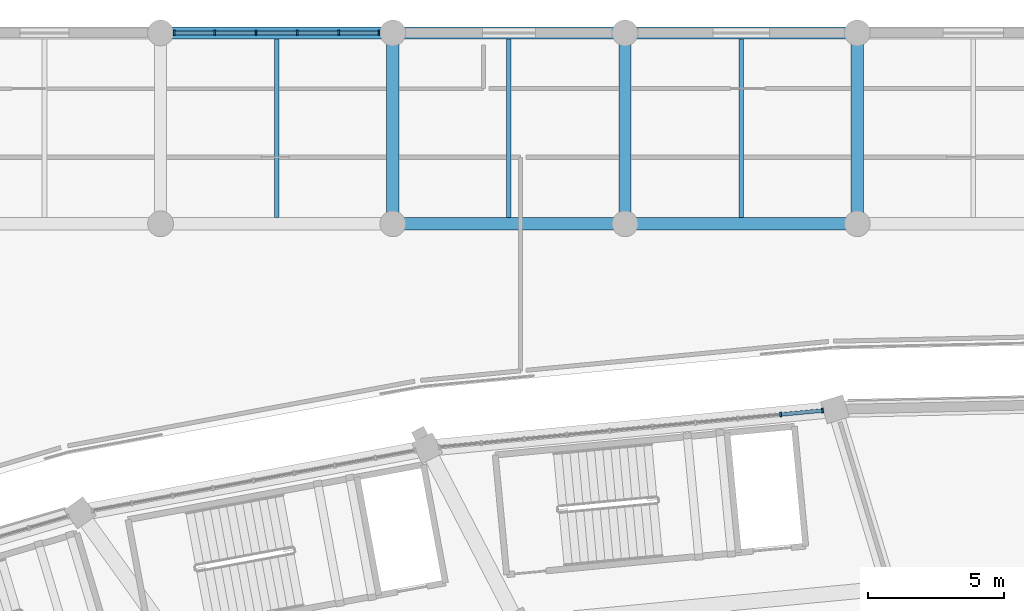
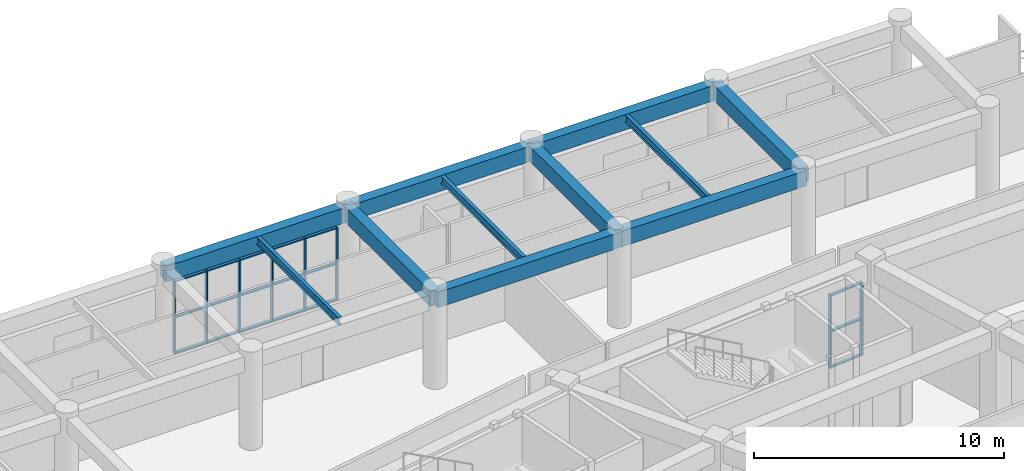
# One storey, part 66 of 152: 26 members, 11 beams, 2 elements without a shape of their own.
"""IFC4 building model written with IfcOpenShell, lengths in metres."""

import ifcopenshell
import ifcopenshell.guid

model = None  # the IFC model being written
_history = None  # IfcOwnerHistory: only IFC2X3 demands one
_inside = {}  # id of a spatial element -> (the spatial element, [elements in it])
_under = {}  # id of a project, library or spatial element -> (it, [spatial elements below it])
_declared = {}  # id of a project -> (the project, [libraries it declares])
_typed = {}  # id of a type object -> (the type object, [elements of that type])
_made_of = {}  # id of a material, layer set ... -> (it, [elements and type objects made of it])


def new_model(schema):
    """Start an empty IFC model of exactly this schema.

    Asked for "IFC4X3", IfcOpenShell would pick the latest addendum, in which some entities
    have other attributes; the version numbers below select the first issue.
    IFC2X3 requires an IfcOwnerHistory on every rooted entity: one is made here for all.
    """
    global model, _history
    if schema == "IFC4X3":
        model = ifcopenshell.file(schema_version=(4, 3, 0, 0))
    else:
        model = ifcopenshell.file(schema=schema)
    _inside.clear()
    _under.clear()
    _declared.clear()
    _typed.clear()
    _made_of.clear()
    _history = None
    if model.schema == "IFC2X3":
        org = make("IfcOrganization", Name="unknown")
        user = make(
            "IfcPersonAndOrganization",
            ThePerson=make("IfcPerson", FamilyName="unknown"),
            TheOrganization=org,
        )
        app = make(
            "IfcApplication",
            ApplicationDeveloper=org,
            Version="unknown",
            ApplicationFullName="unknown",
            ApplicationIdentifier="unknown",
        )
        _history = make(
            "IfcOwnerHistory",
            OwningUser=user,
            OwningApplication=app,
            ChangeAction="ADDED",
            CreationDate=0,
        )
    return model


def make(cls, **values):
    """One entity of the class cls with the attributes given. An attribute that is None is left unset."""
    return model.create_entity(
        cls, **{name: value for name, value in values.items() if value is not None}
    )


def rooted(cls, **values):
    """An entity with a GlobalId (a new one), such as an element, a storey or a relation."""
    return make(cls, GlobalId=ifcopenshell.guid.new(), OwnerHistory=_history, **values)


def si_unit(unit_type, name, prefix=None):
    """IfcSIUnit, for example si_unit("LENGTHUNIT", "METRE", prefix="MILLI")."""
    return make("IfcSIUnit", UnitType=unit_type, Prefix=prefix, Name=name)


def assignment(units):
    """IfcUnitAssignment: the units of a project."""
    return None if units is None else make("IfcUnitAssignment", Units=units)


def point(xyz):
    """IfcCartesianPoint."""
    return None if xyz is None else make("IfcCartesianPoint", Coordinates=xyz)


def direction(xyz):
    """IfcDirection."""
    return None if xyz is None else make("IfcDirection", DirectionRatios=xyz)


def frame(location, z_axis=None, x_axis=None):
    """IfcAxis2Placement3D, a coordinate frame: its origin and axes. An axis left out is left unset."""
    return make(
        "IfcAxis2Placement3D",
        Location=point(location),
        Axis=direction(z_axis),
        RefDirection=direction(x_axis),
    )


def frame_2d(location, x_axis=None):
    """IfcAxis2Placement2D, a coordinate frame in the plane: its origin and x axis."""
    return make(
        "IfcAxis2Placement2D", Location=point(location), RefDirection=direction(x_axis)
    )


def origin():
    """The frame at (0, 0, 0) with its axes left unset."""
    return frame((0.0, 0.0, 0.0))


def origin_2d():
    """The frame at (0, 0) in the plane with its x axis left unset."""
    return frame_2d((0.0, 0.0))


def place(relative_to, where):
    """IfcLocalPlacement: puts the frame where relative to a parent placement (None: the world)."""
    return make(
        "IfcLocalPlacement", PlacementRelTo=relative_to, RelativePlacement=where
    )


def context(
    kind, dimensions, precision=None, world=None, true_north=None, identifier=None
):
    """IfcGeometricRepresentationContext, for example the 3D "Model" context."""
    return make(
        "IfcGeometricRepresentationContext",
        ContextIdentifier=identifier,
        ContextType=kind,
        CoordinateSpaceDimension=dimensions,
        Precision=precision,
        WorldCoordinateSystem=world,
        TrueNorth=true_north,
    )


def subcontext(parent, identifier, kind, view, scale=None):
    """IfcGeometricRepresentationSubContext, for example "Body" below "Model"."""
    return make(
        "IfcGeometricRepresentationSubContext",
        ContextIdentifier=identifier,
        ContextType=kind,
        ParentContext=parent,
        TargetScale=scale,
        TargetView=view,
    )


def project(units=None, contexts=None):
    """IfcProject with its units and contexts."""
    return rooted(
        "IfcProject",
        Name="project",
        RepresentationContexts=contexts,
        UnitsInContext=assignment(units),
    )


def spatial(cls, under=None, at=None, **own):
    """A site, building, storey or space (cls), placed at a placement, below another one or the project."""
    s = rooted(cls, ObjectPlacement=at, **own)
    if under is not None:
        _under.setdefault(under.id(), (under, []))[1].append(s)
    return s


def profile(cls, at=None, kind="AREA", **sizes):
    """A parametric profile (cls). Its sizes go by their IFC names, for example OverallWidth=200.0."""
    return make(cls, ProfileType=kind, Position=at, **sizes)


def rectangle(**sizes):
    """IfcRectangleProfileDef."""
    return profile("IfcRectangleProfileDef", **sizes)


def i_section(**sizes):
    """IfcIShapeProfileDef."""
    return profile("IfcIShapeProfileDef", **sizes)


def extrude(swept, where, along, depth):
    """IfcExtrudedAreaSolid: the profile swept, set in the frame where, extruded along a direction by depth."""
    return make(
        "IfcExtrudedAreaSolid",
        SweptArea=swept,
        Position=where,
        ExtrudedDirection=direction(along),
        Depth=depth,
    )


def shape(context_of_items, identifier, shape_type, items):
    """IfcShapeRepresentation: the items that make up one representation, for example the "Body"."""
    return make(
        "IfcShapeRepresentation",
        ContextOfItems=context_of_items,
        RepresentationIdentifier=identifier,
        RepresentationType=shape_type,
        Items=items,
    )


def material(Name=None, Category=None):
    """IfcMaterial."""
    return make("IfcMaterial", Name=Name, Category=Category)


def layer(
    of_material, thickness, ventilated=None, Name=None, Category=None, Priority=None
):
    """IfcMaterialLayer: one layer of a wall or slab, of a material (None: an air gap)."""
    return make(
        "IfcMaterialLayer",
        Material=of_material,
        LayerThickness=thickness,
        IsVentilated=ventilated,
        Name=Name,
        Category=Category,
        Priority=Priority,
    )


def layer_set(layers, Name=None):
    """IfcMaterialLayerSet."""
    return make("IfcMaterialLayerSet", MaterialLayers=layers, LayerSetName=Name)


def material_profile(
    of_material, cross_section, Name=None, Category=None, Priority=None
):
    """IfcMaterialProfile: a cross section and its material."""
    return make(
        "IfcMaterialProfile",
        Name=Name,
        Material=of_material,
        Profile=cross_section,
        Priority=Priority,
        Category=Category,
    )


def profile_set(profiles, Name=None, composite=None):
    """IfcMaterialProfileSet."""
    return make(
        "IfcMaterialProfileSet",
        Name=Name,
        MaterialProfiles=profiles,
        CompositeProfile=composite,
    )


def made_of(thing, what):
    """Note that an element or type object is made of a material, layer set ...; save() writes the relation."""
    if what is not None:
        _made_of.setdefault(what.id(), (what, []))[1].append(thing)
    return thing


def type_object(cls, material=None, **own):
    """A type object (cls), such as IfcWallType, which elements share."""
    return made_of(rooted(cls, **own), material)


def element(
    cls,
    number,
    at=None,
    inside=None,
    cuts=None,
    type_object=None,
    material=None,
    context=None,
    identifier="Body",
    shape_type=None,
    held_by="IfcProductDefinitionShape",
    body=None,
    shapes=None,
    **own,
):
    """One element of the class cls, such as IfcWall. Its Tag is "e" and its number.

    at: its placement. inside: the storey or other place that contains it. cuts: it is an
    opening in that element (IfcRelVoidsElement). A single representation is given by context,
    identifier, shape_type and body (its items); several are given by shapes. held_by: the class
    of the entity that holds the representations. save() writes the other relations.
    """
    e = rooted(cls, Tag="e%d" % number, ObjectPlacement=at, **own)
    if body is not None:
        shapes = [shape(context, identifier, shape_type, body)]
    if shapes is not None:
        e.Representation = make(held_by, Representations=shapes)
    if inside is not None:
        _inside.setdefault(inside.id(), (inside, []))[1].append(e)
    if cuts is not None:
        rooted(
            "IfcRelVoidsElement", RelatingBuildingElement=cuts, RelatedOpeningElement=e
        )
    if type_object is not None:
        _typed.setdefault(type_object.id(), (type_object, []))[1].append(e)
    return made_of(e, material)


def aggregate(whole, parts):
    """IfcRelAggregates: a whole, such as a stair, and the parts it consists of."""
    return rooted("IfcRelAggregates", RelatingObject=whole, RelatedObjects=parts)


def save(model, path):
    """Write the relations noted so far, then the file.

    IfcRelAggregates (storeys below a building ...), IfcRelContainedInSpatialStructure (elements
    in a storey), IfcRelDefinesByType, IfcRelAssociatesMaterial and IfcRelDeclares: one each for
    every whole, place, type object, material and project.
    """
    for whole, parts in _under.values():
        aggregate(whole, parts)
    for where, things in _inside.values():
        rooted(
            "IfcRelContainedInSpatialStructure",
            RelatedElements=things,
            RelatingStructure=where,
        )
    for kind, things in _typed.values():
        rooted("IfcRelDefinesByType", RelatedObjects=things, RelatingType=kind)
    for what, things in _made_of.values():
        rooted("IfcRelAssociatesMaterial", RelatedObjects=things, RelatingMaterial=what)
    for by, libraries in _declared.values():
        rooted("IfcRelDeclares", RelatingContext=by, RelatedDefinitions=libraries)
    model.write(path)


model = new_model("IFC4")

# Units and contexts
model_context = context("Model", 3, precision=1e-05, world=origin(), true_north=direction((0.0, 1.0)))
body_context = subcontext(model_context, "Body", "Model", "MODEL_VIEW")
ifc_project = project(units=[si_unit("LENGTHUNIT", "METRE"), si_unit("AREAUNIT", "SQUARE_METRE"), si_unit("VOLUMEUNIT", "CUBIC_METRE"), si_unit("PLANEANGLEUNIT", "RADIAN"), si_unit("MASSUNIT", "GRAM", prefix="KILO")], contexts=[model_context])

# Site, building, storey
site_placement = place(None, origin())
site = spatial("IfcSite", under=ifc_project, at=site_placement, CompositionType="ELEMENT")
building_placement = place(site_placement, origin())
building = spatial("IfcBuilding", under=site, at=building_placement, Name="Mphavela Belvedere Stadium", CompositionType="ELEMENT")
storey_placement = place(building_placement, frame((0.0, 0.0, 5.39990234375)))
storey = spatial("IfcBuildingStorey", under=building, at=storey_placement, Name="L01", CompositionType="ELEMENT", Elevation=5.39990234375)

# Beams
ifc_material_1 = material(Name="Steel S355", Category="steel")
ifc_material_profile_1 = material_profile(ifc_material_1, i_section(OverallWidth=0.169921875, OverallDepth=0.360107421875, WebThickness=0.008056640625, FlangeThickness=0.0126953125, at=origin_2d()), Name="IPE 360")
ifc_profile_set_1 = profile_set([ifc_material_profile_1], Name="Steel S355")
beam_type_1 = type_object("IfcBeamType", Name="BM-JOIST-IPE360", PredefinedType="JOIST", material=ifc_profile_set_1)
for number, where, z_axis, x_axis, name in (
    (1, (72.407470703125, 167.22509765625, 4.360107421875), (0.0, 1.0, 0.0), (-1.0, 0.0, 0.0), "North Mast and Ceremonial End Forecourt secondary joist L01 9-7"),
    (2, (80.926025390625, 167.22509765625, 4.360107421875), (0.0, 1.0, 0.0), (-1.0, 0.0, 0.0), "North Mast and Ceremonial End Forecourt secondary joist L01 10-7"),
    (3, (89.444580078125, 167.22509765625, 4.360107421875), (0.0, 1.0, 0.0), (-1.0, 0.0, 0.0), "North Mast and Ceremonial End Forecourt secondary joist L01 11-7"),
):
    element("IfcBeam", number, at=place(storey_placement, frame(where, z_axis=z_axis, x_axis=x_axis)), inside=storey, type_object=beam_type_1, Name=name, PredefinedType="JOIST", context=body_context, shape_type="SweptSolid", body=[
        extrude(i_section(OverallWidth=0.169921875, OverallDepth=0.360107421875, WebThickness=0.008056640625, FlangeThickness=0.0126953125, at=origin_2d()), origin(), (0.0, 0.0, 1.0), 6.5498046875),
    ])
ifc_material_2 = material(Name="Concrete C40/50", Category="concrete")
ifc_material_profile_2 = material_profile(ifc_material_2, rectangle(XDim=0.449951171875, YDim=0.75, at=origin_2d()), Name="RC 450x750")
ifc_profile_set_2 = profile_set([ifc_material_profile_2], Name="Concrete C40/50")
beam_type_2 = type_object("IfcBeamType", Name="BM-RC450x750", PredefinedType="BEAM", material=ifc_profile_set_2)
beam_1_placement = place(storey_placement, frame((68.14794921875, 174.0, 4.1650390625), z_axis=(1.0, 0.0, 0.0), x_axis=(0.0, 1.0, 0.0)))
element("IfcBeam", 4, at=beam_1_placement, inside=storey, type_object=beam_type_2, Name="North Mast and Ceremonial End Forecourt entablature beam X L01 9-8", PredefinedType="BEAM", context=body_context, shape_type="SweptSolid", body=[
    extrude(rectangle(XDim=0.449951171875, YDim=0.75, at=origin_2d()), origin(), (0.0, 0.0, 1.0), 8.51904296875),
])
beam_2_placement = place(storey_placement, frame((76.6669921875, 167.0, 4.1650390625), z_axis=(1.0, 0.0, 0.0), x_axis=(0.0, 1.0, 0.0)))
element("IfcBeam", 5, at=beam_2_placement, inside=storey, type_object=beam_type_2, Name="North Mast and Ceremonial End Forecourt entablature beam X L01 10-7", PredefinedType="BEAM", context=body_context, shape_type="SweptSolid", body=[
    extrude(rectangle(XDim=0.449951171875, YDim=0.75, at=origin_2d()), origin(), (0.0, 0.0, 1.0), 8.51806640625),
])
beam_3_placement = place(storey_placement, frame((76.6669921875, 167.0, 4.1650390625), z_axis=(0.0, 1.0, 0.0), x_axis=(-1.0, 0.0, 0.0)))
element("IfcBeam", 6, at=beam_3_placement, inside=storey, type_object=beam_type_2, Name="North Mast and Ceremonial End Forecourt entablature beam Y L01 10-7", PredefinedType="BEAM", context=body_context, shape_type="SweptSolid", body=[
    extrude(rectangle(XDim=0.449951171875, YDim=0.75, at=origin_2d()), origin(), (0.0, 0.0, 1.0), 7.0),
])
beam_4_placement = place(storey_placement, frame((76.6669921875, 174.0, 4.1650390625), z_axis=(1.0, 0.0, 0.0), x_axis=(0.0, 1.0, 0.0)))
element("IfcBeam", 7, at=beam_4_placement, inside=storey, type_object=beam_type_2, Name="North Mast and Ceremonial End Forecourt entablature beam X L01 10-8", PredefinedType="BEAM", context=body_context, shape_type="SweptSolid", body=[
    extrude(rectangle(XDim=0.449951171875, YDim=0.75, at=origin_2d()), origin(), (0.0, 0.0, 1.0), 8.51806640625),
])
beam_5_placement = place(storey_placement, frame((85.18505859375, 167.0, 4.1650390625), z_axis=(1.0, 0.0, 0.0), x_axis=(0.0, 1.0, 0.0)))
element("IfcBeam", 8, at=beam_5_placement, inside=storey, type_object=beam_type_2, Name="North Mast and Ceremonial End Forecourt entablature beam X L01 11-7", PredefinedType="BEAM", context=body_context, shape_type="SweptSolid", body=[
    extrude(rectangle(XDim=0.449951171875, YDim=0.75, at=origin_2d()), origin(), (0.0, 0.0, 1.0), 8.51904296875),
])
beam_6_placement = place(storey_placement, frame((85.18505859375, 167.0, 4.1650390625), z_axis=(0.0, 1.0, 0.0), x_axis=(-1.0, 0.0, 0.0)))
element("IfcBeam", 9, at=beam_6_placement, inside=storey, type_object=beam_type_2, Name="North Mast and Ceremonial End Forecourt entablature beam Y L01 11-7", PredefinedType="BEAM", context=body_context, shape_type="SweptSolid", body=[
    extrude(rectangle(XDim=0.449951171875, YDim=0.75, at=origin_2d()), origin(), (0.0, 0.0, 1.0), 7.0),
])
beam_7_placement = place(storey_placement, frame((85.18505859375, 174.0, 4.1650390625), z_axis=(1.0, 0.0, 0.0), x_axis=(0.0, 1.0, 0.0)))
element("IfcBeam", 10, at=beam_7_placement, inside=storey, type_object=beam_type_2, Name="North Mast and Ceremonial End Forecourt entablature beam X L01 11-8", PredefinedType="BEAM", context=body_context, shape_type="SweptSolid", body=[
    extrude(rectangle(XDim=0.449951171875, YDim=0.75, at=origin_2d()), origin(), (0.0, 0.0, 1.0), 8.51904296875),
])
beam_8_placement = place(storey_placement, frame((93.7041015625, 167.0, 4.1650390625), z_axis=(0.0, 1.0, 0.0), x_axis=(-1.0, 0.0, 0.0)))
element("IfcBeam", 11, at=beam_8_placement, inside=storey, type_object=beam_type_2, Name="North Mast and Ceremonial End Forecourt entablature beam Y L01 12-7", PredefinedType="BEAM", context=body_context, shape_type="SweptSolid", body=[
    extrude(rectangle(XDim=0.449951171875, YDim=0.75, at=origin_2d()), origin(), (0.0, 0.0, 1.0), 7.0),
])

# Curtain wall, members
ifc_material_3 = material(Name="Anodised bronze unitised curtain wall framing")
ifc_layer = layer(ifc_material_3, 0.18505859375)
ifc_layer_set = layer_set([ifc_layer], Name="Anodised bronze unitised curtain wall framing")
curtain_wall_type = type_object("IfcCurtainWallType", Name="CW-UNIT-02", PredefinedType="USERDEFINED", material=ifc_layer_set)
curtain_wall_1_placement = place(storey_placement, origin())
curtain_wall_1 = element("IfcCurtainWall", 12, at=curtain_wall_1_placement, inside=storey, type_object=curtain_wall_type, Name="Belvedere colonnade curtain wall L01-14", ObjectType="UNITISED CURTAIN WALL", PredefinedType="USERDEFINED")
ifc_material_4 = material(Name="Anodised bronze extruded aluminium", Category="aluminium")
ifc_material_profile_3 = material_profile(ifc_material_4, rectangle(XDim=0.179931640625, YDim=0.06494140625, at=origin_2d()), Name="CW-MUL 180x65")
ifc_profile_set_3 = profile_set([ifc_material_profile_3], Name="Anodised bronze extruded aluminium")
member_type_1 = type_object("IfcMemberType", Name="CWM-180x65", PredefinedType="MULLION", material=ifc_profile_set_3)
member_1_placement = place(storey_placement, frame((92.431884765625, 160.150634765625, 0.0), z_axis=(0.0, 0.0, 1.0), x_axis=(0.094922243726, -0.99548468981, 0.0)))
member_1 = element("IfcMember", 13, at=member_1_placement, type_object=member_type_1, Name="CW-02 mullion 1", PredefinedType="MULLION", context=body_context, shape_type="SweptSolid", body=[
    extrude(rectangle(XDim=0.179931640625, YDim=0.06494140625, at=origin_2d()), origin(), (0.0, 0.0, 1.0), 3.570068359375),
])
member_2_placement = place(storey_placement, frame((90.895751953125, 160.004150390625, 0.0), z_axis=(0.0, 0.0, 1.0), x_axis=(0.094922243726, -0.99548468981, 0.0)))
member_2 = element("IfcMember", 14, at=member_2_placement, type_object=member_type_1, Name="CW-02 mullion 2", PredefinedType="MULLION", context=body_context, shape_type="SweptSolid", body=[
    extrude(rectangle(XDim=0.179931640625, YDim=0.06494140625, at=origin_2d()), origin(), (0.0, 0.0, 1.0), 3.570068359375),
])

curtain_wall_2_placement = place(storey_placement, origin())
curtain_wall_2 = element("IfcCurtainWall", 15, at=curtain_wall_2_placement, inside=storey, type_object=curtain_wall_type, Name="North Mast and Ceremonial End Forecourt gallery curtain wall L01-09", ObjectType="UNITISED CURTAIN WALL", PredefinedType="USERDEFINED")
member_3_placement = place(storey_placement, frame((68.653564453125, 174.0, 0.0), z_axis=(0.0, 0.0, 1.0), x_axis=(0.0, 1.0, 0.0)))
member_3 = element("IfcMember", 16, at=member_3_placement, type_object=member_type_1, Name="CW-02 mullion 1", PredefinedType="MULLION", context=body_context, shape_type="SweptSolid", body=[
    extrude(rectangle(XDim=0.179931640625, YDim=0.06494140625, at=origin_2d()), origin(), (0.0, 0.0, 1.0), 3.56005859375),
])
member_4_placement = place(storey_placement, frame((70.135498046875, 174.0, 0.0), z_axis=(0.0, 0.0, 1.0), x_axis=(0.0, 1.0, 0.0)))
member_4 = element("IfcMember", 17, at=member_4_placement, type_object=member_type_1, Name="CW-02 mullion 2", PredefinedType="MULLION", context=body_context, shape_type="SweptSolid", body=[
    extrude(rectangle(XDim=0.179931640625, YDim=0.06494140625, at=origin_2d()), origin(), (0.0, 0.0, 1.0), 3.56005859375),
])
member_5_placement = place(storey_placement, frame((71.650146484375, 174.0, 0.0), z_axis=(0.0, 0.0, 1.0), x_axis=(0.0, 1.0, 0.0)))
member_5 = element("IfcMember", 18, at=member_5_placement, type_object=member_type_1, Name="CW-02 mullion 3", PredefinedType="MULLION", context=body_context, shape_type="SweptSolid", body=[
    extrude(rectangle(XDim=0.179931640625, YDim=0.06494140625, at=origin_2d()), origin(), (0.0, 0.0, 1.0), 3.56005859375),
])
member_6_placement = place(storey_placement, frame((73.164794921875, 174.0, 0.0), z_axis=(0.0, 0.0, 1.0), x_axis=(0.0, 1.0, 0.0)))
member_6 = element("IfcMember", 19, at=member_6_placement, type_object=member_type_1, Name="CW-02 mullion 4", PredefinedType="MULLION", context=body_context, shape_type="SweptSolid", body=[
    extrude(rectangle(XDim=0.179931640625, YDim=0.06494140625, at=origin_2d()), origin(), (0.0, 0.0, 1.0), 3.56005859375),
])
member_7_placement = place(storey_placement, frame((74.679443359375, 174.0, 0.0), z_axis=(0.0, 0.0, 1.0), x_axis=(0.0, 1.0, 0.0)))
member_7 = element("IfcMember", 20, at=member_7_placement, type_object=member_type_1, Name="CW-02 mullion 5", PredefinedType="MULLION", context=body_context, shape_type="SweptSolid", body=[
    extrude(rectangle(XDim=0.179931640625, YDim=0.06494140625, at=origin_2d()), origin(), (0.0, 0.0, 1.0), 3.56005859375),
])
member_8_placement = place(storey_placement, frame((76.16162109375, 174.0, 0.0), z_axis=(0.0, 0.0, 1.0), x_axis=(0.0, 1.0, 0.0)))
member_8 = element("IfcMember", 21, at=member_8_placement, type_object=member_type_1, Name="CW-02 mullion 6", PredefinedType="MULLION", context=body_context, shape_type="SweptSolid", body=[
    extrude(rectangle(XDim=0.179931640625, YDim=0.06494140625, at=origin_2d()), origin(), (0.0, 0.0, 1.0), 3.56005859375),
])

# Member
ifc_material_5 = material(Name="Anodised bronze extruded aluminium", Category="aluminium")
ifc_material_profile_4 = material_profile(ifc_material_5, rectangle(XDim=0.139892578125, YDim=0.06005859375, at=origin_2d()), Name="CW-TRN 140x60")
ifc_profile_set_4 = profile_set([ifc_material_profile_4], Name="Anodised bronze extruded aluminium")
member_type_2 = type_object("IfcMemberType", Name="CWT-140x60", PredefinedType="USERDEFINED", material=ifc_profile_set_4)
member_9_placement = place(storey_placement, frame((92.399658203125, 160.1474609375, 0.030029296875), z_axis=(-0.995479870054, -0.094972776718, 0.0), x_axis=(0.094972776718, -0.995479870054, 0.0)))
member_9 = element("IfcMember", 22, at=member_9_placement, type_object=member_type_2, Name="CW-02 transom 1.1", ObjectType="TRANSOM", PredefinedType="USERDEFINED", context=body_context, shape_type="SweptSolid", body=[
    extrude(rectangle(XDim=0.139892578125, YDim=0.06005859375, at=origin_2d()), origin(), (0.0, 0.0, 1.0), 1.47802734375),
])

member_10_placement = place(storey_placement, frame((92.399658203125, 160.1474609375, 1.78515625), z_axis=(-0.995479870054, -0.094972776718, 0.0), x_axis=(0.094972776718, -0.995479870054, 0.0)))
member_10 = element("IfcMember", 23, at=member_10_placement, type_object=member_type_2, Name="CW-02 transom 1.2", ObjectType="TRANSOM", PredefinedType="USERDEFINED", context=body_context, shape_type="SweptSolid", body=[
    extrude(rectangle(XDim=0.139892578125, YDim=0.06005859375, at=origin_2d()), origin(), (0.0, 0.0, 1.0), 1.47802734375),
])

member_11_placement = place(storey_placement, frame((92.399658203125, 160.1474609375, 3.5400390625), z_axis=(-0.995479870054, -0.094972776718, 0.0), x_axis=(0.094972776718, -0.995479870054, 0.0)))
member_11 = element("IfcMember", 24, at=member_11_placement, type_object=member_type_2, Name="CW-02 transom 1.3", ObjectType="TRANSOM", PredefinedType="USERDEFINED", context=body_context, shape_type="SweptSolid", body=[
    extrude(rectangle(XDim=0.139892578125, YDim=0.06005859375, at=origin_2d()), origin(), (0.0, 0.0, 1.0), 1.47802734375),
])

aggregate(curtain_wall_1, [member_1, member_2, member_9, member_10, member_11])

member_12_placement = place(storey_placement, frame((68.68603515625, 174.0, 0.030029296875), z_axis=(1.0, 0.0, 0.0), x_axis=(0.0, 1.0, 0.0)))
member_12 = element("IfcMember", 25, at=member_12_placement, type_object=member_type_2, Name="CW-02 transom 1.1", ObjectType="TRANSOM", PredefinedType="USERDEFINED", context=body_context, shape_type="SweptSolid", body=[
    extrude(rectangle(XDim=0.139892578125, YDim=0.06005859375, at=origin_2d()), origin(), (0.0, 0.0, 1.0), 1.4169921875),
])

member_13_placement = place(storey_placement, frame((68.68603515625, 174.0, 1.780029296875), z_axis=(1.0, 0.0, 0.0), x_axis=(0.0, 1.0, 0.0)))
member_13 = element("IfcMember", 26, at=member_13_placement, type_object=member_type_2, Name="CW-02 transom 1.2", ObjectType="TRANSOM", PredefinedType="USERDEFINED", context=body_context, shape_type="SweptSolid", body=[
    extrude(rectangle(XDim=0.139892578125, YDim=0.06005859375, at=origin_2d()), origin(), (0.0, 0.0, 1.0), 1.4169921875),
])

member_14_placement = place(storey_placement, frame((68.68603515625, 174.0, 3.530029296875), z_axis=(1.0, 0.0, 0.0), x_axis=(0.0, 1.0, 0.0)))
member_14 = element("IfcMember", 27, at=member_14_placement, type_object=member_type_2, Name="CW-02 transom 1.3", ObjectType="TRANSOM", PredefinedType="USERDEFINED", context=body_context, shape_type="SweptSolid", body=[
    extrude(rectangle(XDim=0.139892578125, YDim=0.06005859375, at=origin_2d()), origin(), (0.0, 0.0, 1.0), 1.4169921875),
])

member_15_placement = place(storey_placement, frame((70.168212890625, 174.0, 0.030029296875), z_axis=(1.0, 0.0, 0.0), x_axis=(0.0, 1.0, 0.0)))
member_15 = element("IfcMember", 28, at=member_15_placement, type_object=member_type_2, Name="CW-02 transom 2.1", ObjectType="TRANSOM", PredefinedType="USERDEFINED", context=body_context, shape_type="SweptSolid", body=[
    extrude(rectangle(XDim=0.139892578125, YDim=0.06005859375, at=origin_2d()), origin(), (0.0, 0.0, 1.0), 1.449462890625),
])

member_16_placement = place(storey_placement, frame((70.168212890625, 174.0, 1.780029296875), z_axis=(1.0, 0.0, 0.0), x_axis=(0.0, 1.0, 0.0)))
member_16 = element("IfcMember", 29, at=member_16_placement, type_object=member_type_2, Name="CW-02 transom 2.2", ObjectType="TRANSOM", PredefinedType="USERDEFINED", context=body_context, shape_type="SweptSolid", body=[
    extrude(rectangle(XDim=0.139892578125, YDim=0.06005859375, at=origin_2d()), origin(), (0.0, 0.0, 1.0), 1.449462890625),
])

member_17_placement = place(storey_placement, frame((70.168212890625, 174.0, 3.530029296875), z_axis=(1.0, 0.0, 0.0), x_axis=(0.0, 1.0, 0.0)))
member_17 = element("IfcMember", 30, at=member_17_placement, type_object=member_type_2, Name="CW-02 transom 2.3", ObjectType="TRANSOM", PredefinedType="USERDEFINED", context=body_context, shape_type="SweptSolid", body=[
    extrude(rectangle(XDim=0.139892578125, YDim=0.06005859375, at=origin_2d()), origin(), (0.0, 0.0, 1.0), 1.449462890625),
])

member_18_placement = place(storey_placement, frame((71.6826171875, 174.0, 0.030029296875), z_axis=(1.0, 0.0, 0.0), x_axis=(0.0, 1.0, 0.0)))
member_18 = element("IfcMember", 31, at=member_18_placement, type_object=member_type_2, Name="CW-02 transom 3.1", ObjectType="TRANSOM", PredefinedType="USERDEFINED", context=body_context, shape_type="SweptSolid", body=[
    extrude(rectangle(XDim=0.139892578125, YDim=0.06005859375, at=origin_2d()), origin(), (0.0, 0.0, 1.0), 1.44970703125),
])

member_19_placement = place(storey_placement, frame((71.6826171875, 174.0, 1.780029296875), z_axis=(1.0, 0.0, 0.0), x_axis=(0.0, 1.0, 0.0)))
member_19 = element("IfcMember", 32, at=member_19_placement, type_object=member_type_2, Name="CW-02 transom 3.2", ObjectType="TRANSOM", PredefinedType="USERDEFINED", context=body_context, shape_type="SweptSolid", body=[
    extrude(rectangle(XDim=0.139892578125, YDim=0.06005859375, at=origin_2d()), origin(), (0.0, 0.0, 1.0), 1.44970703125),
])

member_20_placement = place(storey_placement, frame((71.6826171875, 174.0, 3.530029296875), z_axis=(1.0, 0.0, 0.0), x_axis=(0.0, 1.0, 0.0)))
member_20 = element("IfcMember", 33, at=member_20_placement, type_object=member_type_2, Name="CW-02 transom 3.3", ObjectType="TRANSOM", PredefinedType="USERDEFINED", context=body_context, shape_type="SweptSolid", body=[
    extrude(rectangle(XDim=0.139892578125, YDim=0.06005859375, at=origin_2d()), origin(), (0.0, 0.0, 1.0), 1.44970703125),
])

member_21_placement = place(storey_placement, frame((73.197265625, 174.0, 0.030029296875), z_axis=(1.0, 0.0, 0.0), x_axis=(0.0, 1.0, 0.0)))
member_21 = element("IfcMember", 34, at=member_21_placement, type_object=member_type_2, Name="CW-02 transom 4.1", ObjectType="TRANSOM", PredefinedType="USERDEFINED", context=body_context, shape_type="SweptSolid", body=[
    extrude(rectangle(XDim=0.139892578125, YDim=0.06005859375, at=origin_2d()), origin(), (0.0, 0.0, 1.0), 1.44970703125),
])

member_22_placement = place(storey_placement, frame((73.197265625, 174.0, 1.780029296875), z_axis=(1.0, 0.0, 0.0), x_axis=(0.0, 1.0, 0.0)))
member_22 = element("IfcMember", 35, at=member_22_placement, type_object=member_type_2, Name="CW-02 transom 4.2", ObjectType="TRANSOM", PredefinedType="USERDEFINED", context=body_context, shape_type="SweptSolid", body=[
    extrude(rectangle(XDim=0.139892578125, YDim=0.06005859375, at=origin_2d()), origin(), (0.0, 0.0, 1.0), 1.44970703125),
])

member_23_placement = place(storey_placement, frame((73.197265625, 174.0, 3.530029296875), z_axis=(1.0, 0.0, 0.0), x_axis=(0.0, 1.0, 0.0)))
member_23 = element("IfcMember", 36, at=member_23_placement, type_object=member_type_2, Name="CW-02 transom 4.3", ObjectType="TRANSOM", PredefinedType="USERDEFINED", context=body_context, shape_type="SweptSolid", body=[
    extrude(rectangle(XDim=0.139892578125, YDim=0.06005859375, at=origin_2d()), origin(), (0.0, 0.0, 1.0), 1.44970703125),
])

member_24_placement = place(storey_placement, frame((74.7119140625, 174.0, 0.030029296875), z_axis=(1.0, 0.0, 0.0), x_axis=(0.0, 1.0, 0.0)))
member_24 = element("IfcMember", 37, at=member_24_placement, type_object=member_type_2, Name="CW-02 transom 5.1", ObjectType="TRANSOM", PredefinedType="USERDEFINED", context=body_context, shape_type="SweptSolid", body=[
    extrude(rectangle(XDim=0.139892578125, YDim=0.06005859375, at=origin_2d()), origin(), (0.0, 0.0, 1.0), 1.4169921875),
])

member_25_placement = place(storey_placement, frame((74.7119140625, 174.0, 1.780029296875), z_axis=(1.0, 0.0, 0.0), x_axis=(0.0, 1.0, 0.0)))
member_25 = element("IfcMember", 38, at=member_25_placement, type_object=member_type_2, Name="CW-02 transom 5.2", ObjectType="TRANSOM", PredefinedType="USERDEFINED", context=body_context, shape_type="SweptSolid", body=[
    extrude(rectangle(XDim=0.139892578125, YDim=0.06005859375, at=origin_2d()), origin(), (0.0, 0.0, 1.0), 1.4169921875),
])

member_26_placement = place(storey_placement, frame((74.7119140625, 174.0, 3.530029296875), z_axis=(1.0, 0.0, 0.0), x_axis=(0.0, 1.0, 0.0)))
member_26 = element("IfcMember", 39, at=member_26_placement, type_object=member_type_2, Name="CW-02 transom 5.3", ObjectType="TRANSOM", PredefinedType="USERDEFINED", context=body_context, shape_type="SweptSolid", body=[
    extrude(rectangle(XDim=0.139892578125, YDim=0.06005859375, at=origin_2d()), origin(), (0.0, 0.0, 1.0), 1.4169921875),
])

aggregate(curtain_wall_2, [member_3, member_4, member_5, member_6, member_7, member_8, member_12, member_13, member_14, member_15, member_16, member_17, member_18, member_19, member_20, member_21, member_22, member_23, member_24, member_25, member_26])

save(model, "model.ifc")
